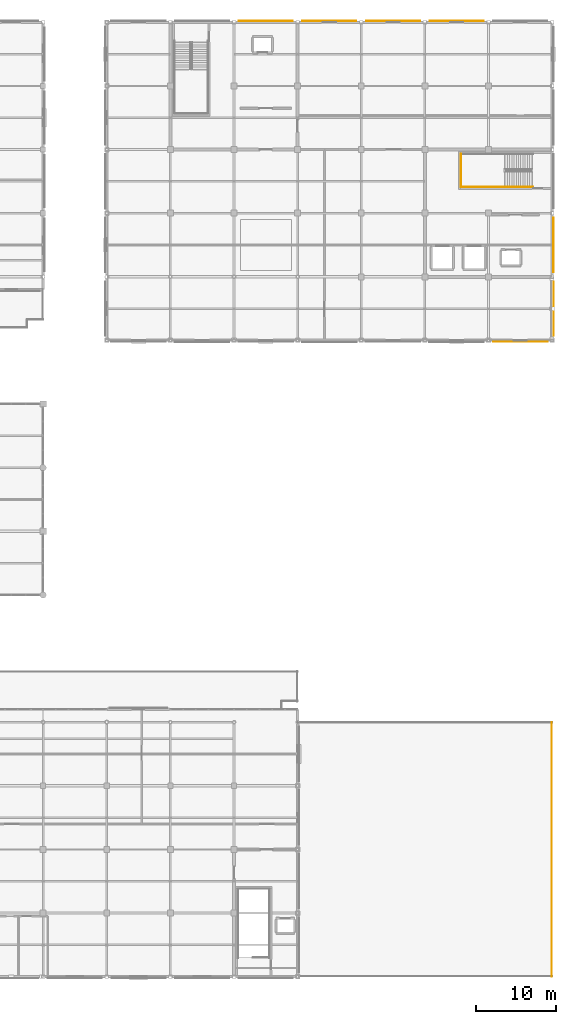
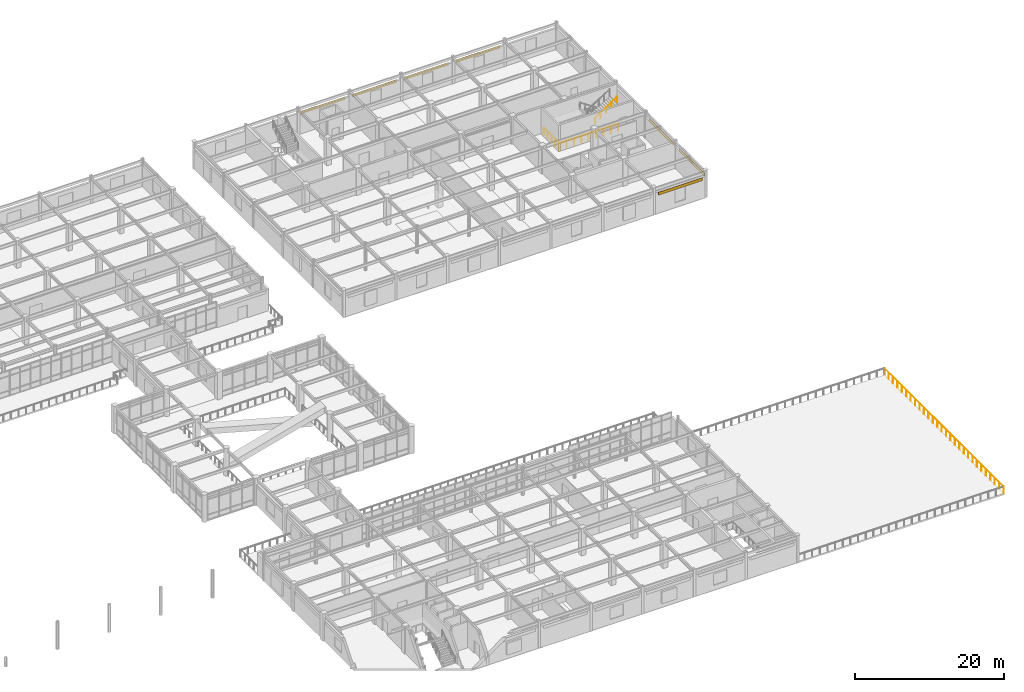
# One storey, part 91 of 93: 7 coverings, 4 railings.
"""IFC4 building model written with IfcOpenShell, lengths in metres."""

from ifc_helpers import new_model, si_unit, direction, frame, origin, origin_2d, place, context, subcontext, project, spatial, rectangle, circle, extrude, material, layer, layer_set, type_object, element, save


model = new_model("IFC4")

# Units and contexts
model_context = context("Model", 3, precision=1e-05, world=origin(), true_north=direction((0.0, 1.0)))
body_context = subcontext(model_context, "Body", "Model", "MODEL_VIEW")
ifc_project = project(units=[si_unit("LENGTHUNIT", "METRE"), si_unit("AREAUNIT", "SQUARE_METRE"), si_unit("VOLUMEUNIT", "CUBIC_METRE"), si_unit("PLANEANGLEUNIT", "RADIAN"), si_unit("MASSUNIT", "GRAM", prefix="KILO")], contexts=[model_context])

# Site, building, storey
site_placement = place(None, origin())
site = spatial("IfcSite", under=ifc_project, at=site_placement, CompositionType="ELEMENT")
building_placement = place(site_placement, origin())
building = spatial("IfcBuilding", under=site, at=building_placement, Name="Solmirada Galleria", CompositionType="ELEMENT")
storey_placement = place(building_placement, frame((0.0, 0.0, 14.89990234375)))
storey = spatial("IfcBuildingStorey", under=building, at=storey_placement, Name="L03", CompositionType="ELEMENT", Elevation=14.89990234375)

# Coverings
ifc_material_1 = material(Name="Limestone cladding panels", Category="masonry")
ifc_layer_1 = layer(ifc_material_1, 0.044921875)
ifc_layer_set_1 = layer_set([ifc_layer_1], Name="Limestone cladding panels")
covering_type_1 = type_object("IfcCoveringType", Name="COV-CLAD-LIME", PredefinedType="CLADDING", material=ifc_layer_set_1)
covering_1_placement = place(storey_placement, frame((164.0, 120.177490234375, 2.990234375), z_axis=(0.0, 0.0, 1.0), x_axis=(1.0, 0.0, 0.0)))
element("IfcCovering", 1, at=covering_1_placement, inside=storey, type_object=covering_type_1, Name="Postmodern facade cladding L03-226", PredefinedType="CLADDING", context=body_context, shape_type="SweptSolid", body=[
    extrude(rectangle(XDim=6.7939453125, YDim=0.044921875, at=origin_2d()), origin(), (0.0, 0.0, 1.0), 0.4599609375),
])
covering_2_placement = place(storey_placement, frame((176.202392578125, 84.0, 2.990234375), z_axis=(0.0, 0.0, 1.0), x_axis=(0.0, -1.0, 0.0)))
element("IfcCovering", 2, at=covering_2_placement, inside=storey, type_object=covering_type_1, Name="Postmodern facade cladding L03-232", PredefinedType="CLADDING", context=body_context, shape_type="SweptSolid", body=[
    extrude(rectangle(XDim=6.819091796875, YDim=0.044921875, at=origin_2d()), origin(), (0.0, 0.0, 1.0), 0.4599609375),
])
covering_3_placement = place(storey_placement, frame((148.0, 120.177490234375, 2.990234375), z_axis=(0.0, 0.0, 1.0), x_axis=(1.0, 0.0, 0.0)))
element("IfcCovering", 3, at=covering_3_placement, inside=storey, type_object=covering_type_1, Name="Postmodern facade cladding L03-248", PredefinedType="CLADDING", context=body_context, shape_type="SweptSolid", body=[
    extrude(rectangle(XDim=6.7939453125, YDim=0.044921875, at=origin_2d()), origin(), (0.0, 0.0, 1.0), 0.4599609375),
])
ifc_material_2 = material(Name="Glazed terracotta facade panels", Category="masonry")
ifc_layer_2 = layer(ifc_material_2, 0.0400390625)
ifc_layer_set_2 = layer_set([ifc_layer_2], Name="Glazed terracotta facade panels")
covering_type_2 = type_object("IfcCoveringType", Name="COV-CLAD-TERRA", PredefinedType="CLADDING", material=ifc_layer_set_2)
for number, where, z_axis, x_axis, name in (
    (4, (156.0, 120.175048828125, 2.990234375), (0.0, 0.0, 1.0), (1.0, 0.0, 0.0), "Postmodern facade cladding L03-225"),
    (5, (176.175048828125, 92.0, 2.990234375), (0.0, 0.0, 1.0), (0.0, -1.0, 0.0), "Postmodern facade cladding L03-231"),
):
    element("IfcCovering", number, at=place(storey_placement, frame(where, z_axis=z_axis, x_axis=x_axis)), inside=storey, type_object=covering_type_2, Name=name, PredefinedType="CLADDING", context=body_context, shape_type="SweptSolid", body=[
        extrude(rectangle(XDim=6.7939453125, YDim=0.0400390625, at=origin_2d()), origin(), (0.0, 0.0, 1.0), 0.4599609375),
    ])
covering_4_placement = place(storey_placement, frame((172.0, 79.824951171875, 2.990234375), z_axis=(0.0, 0.0, 1.0), x_axis=(-1.0, 0.0, 0.0)))
element("IfcCovering", 6, at=covering_4_placement, inside=storey, type_object=covering_type_2, Name="Postmodern facade cladding L03-233", PredefinedType="CLADDING", context=body_context, shape_type="SweptSolid", body=[
    extrude(rectangle(XDim=6.843994140625, YDim=0.0400390625, at=origin_2d()), origin(), (0.0, 0.0, 1.0), 0.4599609375),
])
covering_5_placement = place(storey_placement, frame((140.0, 120.175048828125, 2.990234375), z_axis=(0.0, 0.0, 1.0), x_axis=(1.0, 0.0, 0.0)))
element("IfcCovering", 7, at=covering_5_placement, inside=storey, type_object=covering_type_2, Name="Postmodern facade cladding L03-247", PredefinedType="CLADDING", context=body_context, shape_type="SweptSolid", body=[
    extrude(rectangle(XDim=6.7939453125, YDim=0.0400390625, at=origin_2d()), origin(), (0.0, 0.0, 1.0), 0.4599609375),
])

# Railings
ifc_material_3 = material(Name="Painted steel tubular railing", Category="steel")
railing_type_1 = type_object("IfcRailingType", Name="RAIL-STAIR-GUARD", PredefinedType="GUARDRAIL", material=ifc_material_3)
railing_1_placement = place(storey_placement, frame((173.6201171875, 99.2900390625, 0.0)))
element("IfcRailing", 8, at=railing_1_placement, inside=storey, type_object=railing_type_1, Name="Stair ST4 well edge guard L03-1", PredefinedType="GUARDRAIL", context=body_context, shape_type="SweptSolid", body=[
    extrude(circle(Radius=0.02392578125, at=origin_2d()), frame((0.0, 0.0, 1.09619140625), z_axis=(-1.0, 0.0, 0.0), x_axis=(0.0, -1.0, 0.0)), (0.0, 0.0, 1.0), 9.080078125),
    extrude(circle(Radius=0.02099609375, at=origin_2d()), origin(), (0.0, 0.0, 1.0), 1.068115234375),
    extrude(circle(Radius=0.02099609375, at=origin_2d()), frame((-1.135009765625, 0.0, 0.0)), (0.0, 0.0, 1.0), 1.068115234375),
    extrude(circle(Radius=0.02099609375, at=origin_2d()), frame((-2.27001953125, 0.0, 0.0)), (0.0, 0.0, 1.0), 1.068115234375),
    extrude(circle(Radius=0.02099609375, at=origin_2d()), frame((-3.405029296875, 0.0, 0.0)), (0.0, 0.0, 1.0), 1.068115234375),
    extrude(circle(Radius=0.02099609375, at=origin_2d()), frame((-4.5400390625, 0.0, 0.0)), (0.0, 0.0, 1.0), 1.068115234375),
    extrude(circle(Radius=0.02099609375, at=origin_2d()), frame((-5.675048828125, 0.0, 0.0)), (0.0, 0.0, 1.0), 1.068115234375),
    extrude(circle(Radius=0.02099609375, at=origin_2d()), frame((-6.81005859375, 0.0, 0.0)), (0.0, 0.0, 1.0), 1.068115234375),
    extrude(circle(Radius=0.02099609375, at=origin_2d()), frame((-7.945068359375, 0.0, 0.0)), (0.0, 0.0, 1.0), 1.068115234375),
    extrude(circle(Radius=0.02099609375, at=origin_2d()), frame((-9.080078125, 0.0, 0.0)), (0.0, 0.0, 1.0), 1.068115234375),
])
railing_2_placement = place(storey_placement, frame((164.5400390625, 99.2900390625, 0.0)))
element("IfcRailing", 9, at=railing_2_placement, inside=storey, type_object=railing_type_1, Name="Stair ST4 well edge guard L03-2", PredefinedType="GUARDRAIL", context=body_context, shape_type="SweptSolid", body=[
    extrude(circle(Radius=0.02392578125, at=origin_2d()), frame((0.0, 0.0, 1.09619140625), z_axis=(0.0, 1.0, 0.0), x_axis=(-1.0, 0.0, 0.0)), (0.0, 0.0, 1.0), 4.169921875),
    extrude(circle(Radius=0.02099609375, at=origin_2d()), origin(), (0.0, 0.0, 1.0), 1.068115234375),
    extrude(circle(Radius=0.02099609375, at=origin_2d()), frame((0.0, 1.04248046875, 0.0)), (0.0, 0.0, 1.0), 1.068115234375),
    extrude(circle(Radius=0.02099609375, at=origin_2d()), frame((0.0, 2.0849609375, 0.0)), (0.0, 0.0, 1.0), 1.068115234375),
    extrude(circle(Radius=0.02099609375, at=origin_2d()), frame((0.0, 3.12744140625, 0.0)), (0.0, 0.0, 1.0), 1.068115234375),
    extrude(circle(Radius=0.02099609375, at=origin_2d()), frame((0.0, 4.169921875, 0.0)), (0.0, 0.0, 1.0), 1.068115234375),
])
railing_type_2 = type_object("IfcRailingType", Name="RAIL-STAIR-HAND", PredefinedType="HANDRAIL", material=ifc_material_3)
railing_3_placement = place(storey_placement, frame((170.090087890625, 99.300048828125, 2.423095703125)))
element("IfcRailing", 10, at=railing_3_placement, inside=storey, type_object=railing_type_2, Name="L03 ST4 stair handrail 2", PredefinedType="HANDRAIL", context=body_context, shape_type="SweptSolid", body=[
    extrude(circle(Radius=0.02392578125, at=origin_2d()), frame((0.0, 0.0, 0.8759765625), z_axis=(0.830896709279, 0.0, 0.556426687452), x_axis=(0.0, 1.0, 0.0)), (0.0, 0.0, 1.0), 4.043701171875),
    extrude(circle(Radius=0.02099609375, at=origin_2d()), origin(), (0.0, 0.0, 1.0), 0.847900390625),
    extrude(circle(Radius=0.02099609375, at=origin_2d()), frame((0.83984375, 0.0, 0.5625)), (0.0, 0.0, 1.0), 0.847900390625),
    extrude(circle(Radius=0.02099609375, at=origin_2d()), frame((1.679931640625, 0.0, 1.125)), (0.0, 0.0, 1.0), 0.847900390625),
    extrude(circle(Radius=0.02099609375, at=origin_2d()), frame((2.52001953125, 0.0, 1.6875)), (0.0, 0.0, 1.0), 0.847900390625),
    extrude(circle(Radius=0.02099609375, at=origin_2d()), frame((3.35986328125, 0.0, 2.25)), (0.0, 0.0, 1.0), 0.847900390625),
])
ifc_material_4 = material(Name="Painted galvanized steel balustrade", Category="steel")
railing_type_3 = type_object("IfcRailingType", Name="RAIL-TERR-1100", PredefinedType="GUARDRAIL", material=ifc_material_4)
railing_4_placement = place(storey_placement, frame((175.949951171875, 0.0, 0.0)))
element("IfcRailing", 11, at=railing_4_placement, inside=storey, type_object=railing_type_3, Name="Terrace guardrail L03-TERR-ER E2.1", PredefinedType="GUARDRAIL", context=body_context, shape_type="SweptSolid", body=[
    extrude(circle(Radius=0.02392578125, at=origin_2d()), frame((0.0, 0.0, 1.09619140625), z_axis=(0.0, 1.0, 0.0), x_axis=(-1.0, 0.0, 0.0)), (0.0, 0.0, 1.0), 32.0),
    extrude(circle(Radius=0.02099609375, at=origin_2d()), origin(), (0.0, 0.0, 1.0), 1.068115234375),
    extrude(circle(Radius=0.02099609375, at=origin_2d()), frame((0.0, 1.185302734375, 0.0)), (0.0, 0.0, 1.0), 1.068115234375),
    extrude(circle(Radius=0.02099609375, at=origin_2d()), frame((0.0, 2.370361328125, 0.0)), (0.0, 0.0, 1.0), 1.068115234375),
    extrude(circle(Radius=0.02099609375, at=origin_2d()), frame((0.0, 3.5556640625, 0.0)), (0.0, 0.0, 1.0), 1.068115234375),
    extrude(circle(Radius=0.02099609375, at=origin_2d()), frame((0.0, 4.74072265625, 0.0)), (0.0, 0.0, 1.0), 1.068115234375),
    extrude(circle(Radius=0.02099609375, at=origin_2d()), frame((0.0, 5.926025390625, 0.0)), (0.0, 0.0, 1.0), 1.068115234375),
    extrude(circle(Radius=0.02099609375, at=origin_2d()), frame((0.0, 7.111083984375, 0.0)), (0.0, 0.0, 1.0), 1.068115234375),
    extrude(circle(Radius=0.02099609375, at=origin_2d()), frame((0.0, 8.29638671875, 0.0)), (0.0, 0.0, 1.0), 1.068115234375),
    extrude(circle(Radius=0.02099609375, at=origin_2d()), frame((0.0, 9.4814453125, 0.0)), (0.0, 0.0, 1.0), 1.068115234375),
    extrude(circle(Radius=0.02099609375, at=origin_2d()), frame((0.0, 10.666748046875, 0.0)), (0.0, 0.0, 1.0), 1.068115234375),
    extrude(circle(Radius=0.02099609375, at=origin_2d()), frame((0.0, 11.851806640625, 0.0)), (0.0, 0.0, 1.0), 1.068115234375),
    extrude(circle(Radius=0.02099609375, at=origin_2d()), frame((0.0, 13.037109375, 0.0)), (0.0, 0.0, 1.0), 1.068115234375),
    extrude(circle(Radius=0.02099609375, at=origin_2d()), frame((0.0, 14.22216796875, 0.0)), (0.0, 0.0, 1.0), 1.068115234375),
    extrude(circle(Radius=0.02099609375, at=origin_2d()), frame((0.0, 15.407470703125, 0.0)), (0.0, 0.0, 1.0), 1.068115234375),
    extrude(circle(Radius=0.02099609375, at=origin_2d()), frame((0.0, 16.592529296875, 0.0)), (0.0, 0.0, 1.0), 1.068115234375),
    extrude(circle(Radius=0.02099609375, at=origin_2d()), frame((0.0, 17.77783203125, 0.0)), (0.0, 0.0, 1.0), 1.068115234375),
    extrude(circle(Radius=0.02099609375, at=origin_2d()), frame((0.0, 18.962890625, 0.0)), (0.0, 0.0, 1.0), 1.068115234375),
    extrude(circle(Radius=0.02099609375, at=origin_2d()), frame((0.0, 20.148193359375, 0.0)), (0.0, 0.0, 1.0), 1.068115234375),
    extrude(circle(Radius=0.02099609375, at=origin_2d()), frame((0.0, 21.333251953125, 0.0)), (0.0, 0.0, 1.0), 1.068115234375),
    extrude(circle(Radius=0.02099609375, at=origin_2d()), frame((0.0, 22.5185546875, 0.0)), (0.0, 0.0, 1.0), 1.068115234375),
    extrude(circle(Radius=0.02099609375, at=origin_2d()), frame((0.0, 23.70361328125, 0.0)), (0.0, 0.0, 1.0), 1.068115234375),
    extrude(circle(Radius=0.02099609375, at=origin_2d()), frame((0.0, 24.888916015625, 0.0)), (0.0, 0.0, 1.0), 1.068115234375),
    extrude(circle(Radius=0.02099609375, at=origin_2d()), frame((0.0, 26.073974609375, 0.0)), (0.0, 0.0, 1.0), 1.068115234375),
    extrude(circle(Radius=0.02099609375, at=origin_2d()), frame((0.0, 27.25927734375, 0.0)), (0.0, 0.0, 1.0), 1.068115234375),
    extrude(circle(Radius=0.02099609375, at=origin_2d()), frame((0.0, 28.4443359375, 0.0)), (0.0, 0.0, 1.0), 1.068115234375),
    extrude(circle(Radius=0.02099609375, at=origin_2d()), frame((0.0, 29.629638671875, 0.0)), (0.0, 0.0, 1.0), 1.068115234375),
    extrude(circle(Radius=0.02099609375, at=origin_2d()), frame((0.0, 30.814697265625, 0.0)), (0.0, 0.0, 1.0), 1.068115234375),
    extrude(circle(Radius=0.02099609375, at=origin_2d()), frame((0.0, 32.0, 0.0)), (0.0, 0.0, 1.0), 1.068115234375),
])

save(model, "model.ifc")
